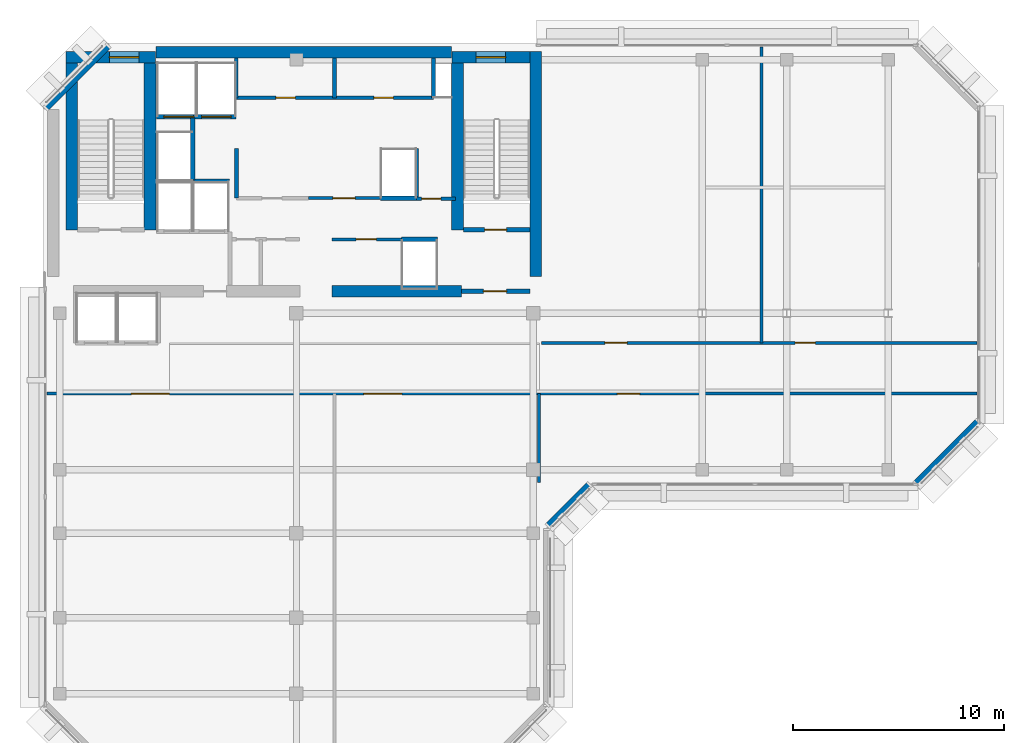
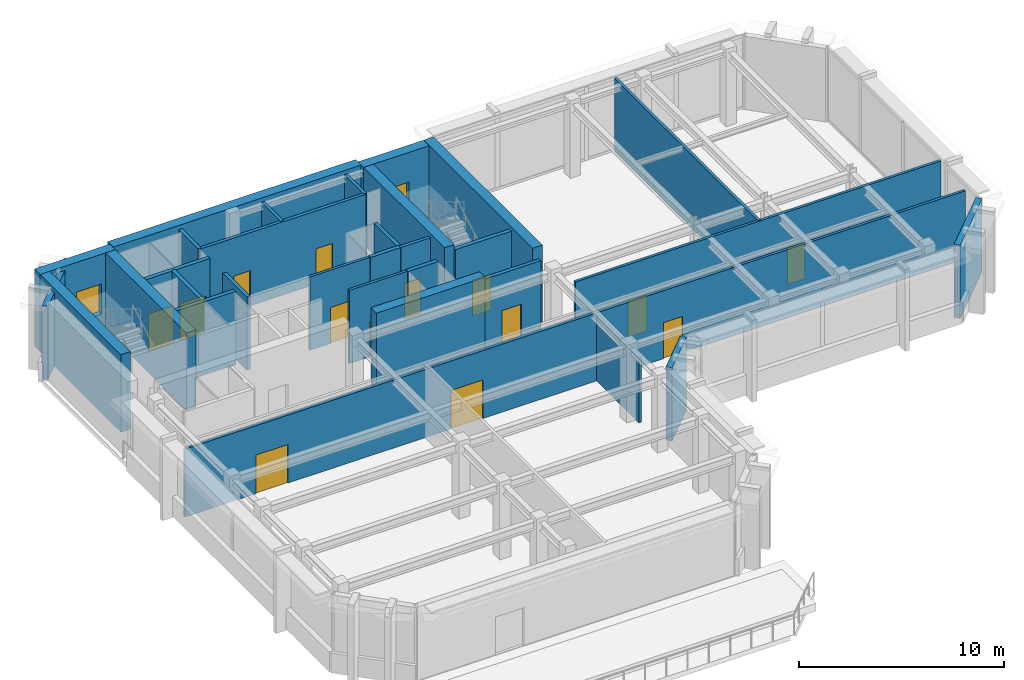
# One storey, part 5 of 11: 31 walls, 14 doors, 2 windows, 16 openings.
"""IFC4 building model written with IfcOpenShell, lengths in metres."""

import ifcopenshell
import ifcopenshell.guid

model = None  # the IFC model being written
_history = None  # IfcOwnerHistory: only IFC2X3 demands one
_inside = {}  # id of a spatial element -> (the spatial element, [elements in it])
_under = {}  # id of a project, library or spatial element -> (it, [spatial elements below it])
_declared = {}  # id of a project -> (the project, [libraries it declares])
_typed = {}  # id of a type object -> (the type object, [elements of that type])
_made_of = {}  # id of a material, layer set ... -> (it, [elements and type objects made of it])


def new_model(schema):
    """Start an empty IFC model of exactly this schema.

    Asked for "IFC4X3", IfcOpenShell would pick the latest addendum, in which some entities
    have other attributes; the version numbers below select the first issue.
    IFC2X3 requires an IfcOwnerHistory on every rooted entity: one is made here for all.
    """
    global model, _history
    if schema == "IFC4X3":
        model = ifcopenshell.file(schema_version=(4, 3, 0, 0))
    else:
        model = ifcopenshell.file(schema=schema)
    _inside.clear()
    _under.clear()
    _declared.clear()
    _typed.clear()
    _made_of.clear()
    _history = None
    if model.schema == "IFC2X3":
        org = make("IfcOrganization", Name="unknown")
        user = make(
            "IfcPersonAndOrganization",
            ThePerson=make("IfcPerson", FamilyName="unknown"),
            TheOrganization=org,
        )
        app = make(
            "IfcApplication",
            ApplicationDeveloper=org,
            Version="unknown",
            ApplicationFullName="unknown",
            ApplicationIdentifier="unknown",
        )
        _history = make(
            "IfcOwnerHistory",
            OwningUser=user,
            OwningApplication=app,
            ChangeAction="ADDED",
            CreationDate=0,
        )
    return model


def make(cls, **values):
    """One entity of the class cls with the attributes given. An attribute that is None is left unset."""
    return model.create_entity(
        cls, **{name: value for name, value in values.items() if value is not None}
    )


def rooted(cls, **values):
    """An entity with a GlobalId (a new one), such as an element, a storey or a relation."""
    return make(cls, GlobalId=ifcopenshell.guid.new(), OwnerHistory=_history, **values)


def si_unit(unit_type, name, prefix=None):
    """IfcSIUnit, for example si_unit("LENGTHUNIT", "METRE", prefix="MILLI")."""
    return make("IfcSIUnit", UnitType=unit_type, Prefix=prefix, Name=name)


def assignment(units):
    """IfcUnitAssignment: the units of a project."""
    return None if units is None else make("IfcUnitAssignment", Units=units)


def point(xyz):
    """IfcCartesianPoint."""
    return None if xyz is None else make("IfcCartesianPoint", Coordinates=xyz)


def direction(xyz):
    """IfcDirection."""
    return None if xyz is None else make("IfcDirection", DirectionRatios=xyz)


def frame(location, z_axis=None, x_axis=None):
    """IfcAxis2Placement3D, a coordinate frame: its origin and axes. An axis left out is left unset."""
    return make(
        "IfcAxis2Placement3D",
        Location=point(location),
        Axis=direction(z_axis),
        RefDirection=direction(x_axis),
    )


def frame_2d(location, x_axis=None):
    """IfcAxis2Placement2D, a coordinate frame in the plane: its origin and x axis."""
    return make(
        "IfcAxis2Placement2D", Location=point(location), RefDirection=direction(x_axis)
    )


def origin():
    """The frame at (0, 0, 0) with its axes left unset."""
    return frame((0.0, 0.0, 0.0))


def place(relative_to, where):
    """IfcLocalPlacement: puts the frame where relative to a parent placement (None: the world)."""
    return make(
        "IfcLocalPlacement", PlacementRelTo=relative_to, RelativePlacement=where
    )


def context(
    kind, dimensions, precision=None, world=None, true_north=None, identifier=None
):
    """IfcGeometricRepresentationContext, for example the 3D "Model" context."""
    return make(
        "IfcGeometricRepresentationContext",
        ContextIdentifier=identifier,
        ContextType=kind,
        CoordinateSpaceDimension=dimensions,
        Precision=precision,
        WorldCoordinateSystem=world,
        TrueNorth=true_north,
    )


def subcontext(parent, identifier, kind, view, scale=None):
    """IfcGeometricRepresentationSubContext, for example "Body" below "Model"."""
    return make(
        "IfcGeometricRepresentationSubContext",
        ContextIdentifier=identifier,
        ContextType=kind,
        ParentContext=parent,
        TargetScale=scale,
        TargetView=view,
    )


def project(units=None, contexts=None):
    """IfcProject with its units and contexts."""
    return rooted(
        "IfcProject",
        Name="project",
        RepresentationContexts=contexts,
        UnitsInContext=assignment(units),
    )


def spatial(cls, under=None, at=None, **own):
    """A site, building, storey or space (cls), placed at a placement, below another one or the project."""
    s = rooted(cls, ObjectPlacement=at, **own)
    if under is not None:
        _under.setdefault(under.id(), (under, []))[1].append(s)
    return s


def profile(cls, at=None, kind="AREA", **sizes):
    """A parametric profile (cls). Its sizes go by their IFC names, for example OverallWidth=200.0."""
    return make(cls, ProfileType=kind, Position=at, **sizes)


def rectangle(**sizes):
    """IfcRectangleProfileDef."""
    return profile("IfcRectangleProfileDef", **sizes)


def extrude(swept, where, along, depth):
    """IfcExtrudedAreaSolid: the profile swept, set in the frame where, extruded along a direction by depth."""
    return make(
        "IfcExtrudedAreaSolid",
        SweptArea=swept,
        Position=where,
        ExtrudedDirection=direction(along),
        Depth=depth,
    )


def shape(context_of_items, identifier, shape_type, items):
    """IfcShapeRepresentation: the items that make up one representation, for example the "Body"."""
    return make(
        "IfcShapeRepresentation",
        ContextOfItems=context_of_items,
        RepresentationIdentifier=identifier,
        RepresentationType=shape_type,
        Items=items,
    )


def material(Name=None, Category=None):
    """IfcMaterial."""
    return make("IfcMaterial", Name=Name, Category=Category)


def layer(
    of_material, thickness, ventilated=None, Name=None, Category=None, Priority=None
):
    """IfcMaterialLayer: one layer of a wall or slab, of a material (None: an air gap)."""
    return make(
        "IfcMaterialLayer",
        Material=of_material,
        LayerThickness=thickness,
        IsVentilated=ventilated,
        Name=Name,
        Category=Category,
        Priority=Priority,
    )


def layer_set(layers, Name=None):
    """IfcMaterialLayerSet."""
    return make("IfcMaterialLayerSet", MaterialLayers=layers, LayerSetName=Name)


def made_of(thing, what):
    """Note that an element or type object is made of a material, layer set ...; save() writes the relation."""
    if what is not None:
        _made_of.setdefault(what.id(), (what, []))[1].append(thing)
    return thing


def type_object(cls, material=None, **own):
    """A type object (cls), such as IfcWallType, which elements share."""
    return made_of(rooted(cls, **own), material)


def element(
    cls,
    number,
    at=None,
    inside=None,
    cuts=None,
    type_object=None,
    material=None,
    context=None,
    identifier="Body",
    shape_type=None,
    held_by="IfcProductDefinitionShape",
    body=None,
    shapes=None,
    **own,
):
    """One element of the class cls, such as IfcWall. Its Tag is "e" and its number.

    at: its placement. inside: the storey or other place that contains it. cuts: it is an
    opening in that element (IfcRelVoidsElement). A single representation is given by context,
    identifier, shape_type and body (its items); several are given by shapes. held_by: the class
    of the entity that holds the representations. save() writes the other relations.
    """
    e = rooted(cls, Tag="e%d" % number, ObjectPlacement=at, **own)
    if body is not None:
        shapes = [shape(context, identifier, shape_type, body)]
    if shapes is not None:
        e.Representation = make(held_by, Representations=shapes)
    if inside is not None:
        _inside.setdefault(inside.id(), (inside, []))[1].append(e)
    if cuts is not None:
        rooted(
            "IfcRelVoidsElement", RelatingBuildingElement=cuts, RelatedOpeningElement=e
        )
    if type_object is not None:
        _typed.setdefault(type_object.id(), (type_object, []))[1].append(e)
    return made_of(e, material)


def fill(opening, filler):
    """IfcRelFillsElement: the door or window that sits in an opening."""
    return rooted(
        "IfcRelFillsElement",
        RelatingOpeningElement=opening,
        RelatedBuildingElement=filler,
    )


def aggregate(whole, parts):
    """IfcRelAggregates: a whole, such as a stair, and the parts it consists of."""
    return rooted("IfcRelAggregates", RelatingObject=whole, RelatedObjects=parts)


def save(model, path):
    """Write the relations noted so far, then the file.

    IfcRelAggregates (storeys below a building ...), IfcRelContainedInSpatialStructure (elements
    in a storey), IfcRelDefinesByType, IfcRelAssociatesMaterial and IfcRelDeclares: one each for
    every whole, place, type object, material and project.
    """
    for whole, parts in _under.values():
        aggregate(whole, parts)
    for where, things in _inside.values():
        rooted(
            "IfcRelContainedInSpatialStructure",
            RelatedElements=things,
            RelatingStructure=where,
        )
    for kind, things in _typed.values():
        rooted("IfcRelDefinesByType", RelatedObjects=things, RelatingType=kind)
    for what, things in _made_of.values():
        rooted("IfcRelAssociatesMaterial", RelatedObjects=things, RelatingMaterial=what)
    for by, libraries in _declared.values():
        rooted("IfcRelDeclares", RelatingContext=by, RelatedDefinitions=libraries)
    model.write(path)


model = new_model("IFC4")

# Units and contexts
model_context = context("Model", 3, precision=1e-05, world=origin(), true_north=direction((0.0, 1.0)))
body_context = subcontext(model_context, "Body", "Model", "MODEL_VIEW")
ifc_project = project(units=[si_unit("LENGTHUNIT", "METRE"), si_unit("AREAUNIT", "SQUARE_METRE"), si_unit("VOLUMEUNIT", "CUBIC_METRE"), si_unit("PLANEANGLEUNIT", "RADIAN"), si_unit("MASSUNIT", "GRAM", prefix="KILO")], contexts=[model_context])

# Site, building, storey
site_placement = place(None, origin())
site = spatial("IfcSite", under=ifc_project, at=site_placement, CompositionType="ELEMENT")
building_placement = place(site_placement, origin())
building = spatial("IfcBuilding", under=site, at=building_placement, Name="Kefirva Bronze Tower", CompositionType="ELEMENT")
storey_placement = place(building_placement, frame((0.0, 0.0, 347.489990234375)))
storey = spatial("IfcBuildingStorey", under=building, at=storey_placement, Name="L85", CompositionType="ELEMENT", Elevation=347.489990234375)

# Wall, opening, door
ifc_material_1 = material(Name="Gypsum acoustic partition")
ifc_layer_1 = layer(ifc_material_1, 0.14990234375, Name="Gypsum acoustic partition")
ifc_layer_set_1 = layer_set([ifc_layer_1], Name="Gypsum acoustic partition")
wall_type_1 = type_object("IfcWallType", Name="Executive Suite Partition 150mm", PredefinedType="PARTITIONING", material=ifc_layer_set_1)
wall_1_placement = place(storey_placement, frame((13.679931640625, 36.699951171875, 0.0), z_axis=(0.0, 0.0, 1.0), x_axis=(1.0, 0.0, 0.0)))
wall_1 = element("IfcWall", 1, at=wall_1_placement, inside=storey, type_object=wall_type_1, Name="L85 Partition W-L85-RECMP1", PredefinedType="PARTITIONING", context=body_context, shape_type="SweptSolid", body=[
    extrude(rectangle(XDim=3.280029296875, YDim=0.14990234375, at=frame_2d((1.64013671875, 0.0))), origin(), (0.0, 0.0, 1.0), 4.3701171875),
])
opening_1_placement = place(wall_1_placement, frame((1.14990234375, 0.0, 0.0)))
opening_1 = element("IfcOpeningElement", 2, at=opening_1_placement, cuts=wall_1, Name="Opening L85-D-RECMP1", PredefinedType="OPENING", context=body_context, shape_type="SweptSolid", body=[
    extrude(rectangle(XDim=0.949951171875, YDim=2.14990234375, at=frame_2d((0.47509765625, 1.074951171875))), frame((0.0, 0.0849609375, 0.0), z_axis=(0.0, -1.0, 0.0), x_axis=(1.0, 0.0, 0.0)), (0.0, 0.0, 1.0), 0.169921875),
])
ifc_material_2 = material(Name="Acoustic hardwood oak", Category="wood")
door_type_1 = type_object("IfcDoorType", Name="Office & Meeting Room Door 950x2150", OperationType="NOTDEFINED", PredefinedType="DOOR", material=ifc_material_2)
door_1_placement = place(opening_1_placement, origin())
door_1 = element("IfcDoor", 3, at=door_1_placement, inside=storey, type_object=door_type_1, Name="Door L85-D-RECMP1", OperationType="SINGLE_SWING_LEFT", OverallHeight=2.14990234375, OverallWidth=0.949951171875, PredefinedType="DOOR", context=body_context, shape_type="SweptSolid", body=[
    extrude(rectangle(XDim=0.949951171875, YDim=2.14990234375, at=frame_2d((0.47509765625, 1.074951171875))), frame((0.0, 0.02490234375, 0.0), z_axis=(0.0, -1.0, 0.0), x_axis=(1.0, 0.0, 0.0)), (0.0, 0.0, 1.0), 0.050048828125),
])
fill(opening_1, door_1)

wall_2_placement = place(storey_placement, frame((12.580078125, 38.64990234375, 0.0), z_axis=(0.0, 0.0, 1.0), x_axis=(1.0, 0.0, 0.0)))
wall_2 = element("IfcWall", 4, at=wall_2_placement, inside=storey, type_object=wall_type_1, Name="L85 Partition W-L85-RECMP2", PredefinedType="PARTITIONING", context=body_context, shape_type="SweptSolid", body=[
    extrude(rectangle(XDim=3.3798828125, YDim=0.14990234375, at=frame_2d((1.68994140625, 0.0))), origin(), (0.0, 0.0, 1.0), 4.3701171875),
])
opening_2_placement = place(wall_2_placement, frame((2.199951171875, 0.0, 0.0), z_axis=(0.0, 0.0, 1.0), x_axis=(-1.0, 0.0, 0.0)))
opening_2 = element("IfcOpeningElement", 5, at=opening_2_placement, cuts=wall_2, Name="Opening L85-D-RECMP2", PredefinedType="OPENING", context=body_context, shape_type="SweptSolid", body=[
    extrude(rectangle(XDim=1.050048828125, YDim=2.14990234375, at=frame_2d((0.52490234375, 1.074951171875))), frame((0.0, 0.0849609375, 0.0), z_axis=(0.0, -1.0, 0.0), x_axis=(1.0, 0.0, 0.0)), (0.0, 0.0, 1.0), 0.169921875),
])
door_type_2 = type_object("IfcDoorType", Name="Executive & Boardroom Door 1050x2150", OperationType="NOTDEFINED", PredefinedType="DOOR", material=ifc_material_2)
door_2_placement = place(opening_2_placement, origin())
door_2 = element("IfcDoor", 6, at=door_2_placement, inside=storey, type_object=door_type_2, Name="Door L85-D-RECMP2", OperationType="SINGLE_SWING_RIGHT", OverallHeight=2.14990234375, OverallWidth=1.050048828125, PredefinedType="DOOR", context=body_context, shape_type="SweptSolid", body=[
    extrude(rectangle(XDim=1.050048828125, YDim=2.14990234375, at=frame_2d((0.52490234375, 1.074951171875))), frame((0.0, 0.02490234375, 0.0), z_axis=(0.0, -1.0, 0.0), x_axis=(1.0, 0.0, 0.0)), (0.0, 0.0, 1.0), 0.050048828125),
])
fill(opening_2, door_2)

# Wall, openings, doors
wall_3_placement = place(storey_placement, frame((0.18994140625, 29.39990234375, 0.0), z_axis=(0.0, 0.0, 1.0), x_axis=(1.0, 0.0, 0.0)))
wall_3 = element("IfcWall", 7, at=wall_3_placement, inside=storey, type_object=wall_type_1, Name="L85 Partition W-L85-LKS", PredefinedType="PARTITIONING", context=body_context, shape_type="SweptSolid", body=[
    extrude(rectangle(XDim=44.02001953125, YDim=0.14990234375, at=frame_2d((22.010009765625, 0.0))), origin(), (0.0, 0.0, 1.0), 4.054931640625),
])
opening_3_placement = place(wall_3_placement, frame((4.0, 0.0, 0.0)))
opening_3 = element("IfcOpeningElement", 8, at=opening_3_placement, cuts=wall_3, Name="Opening L85-D-LK1", PredefinedType="OPENING", context=body_context, shape_type="SweptSolid", body=[
    extrude(rectangle(XDim=1.800048828125, YDim=2.300048828125, at=frame_2d((0.89990234375, 1.14990234375))), frame((0.0, 0.0849609375, 0.0), z_axis=(0.0, -1.0, 0.0), x_axis=(1.0, 0.0, 0.0)), (0.0, 0.0, 1.0), 0.169921875),
])
opening_4_placement = place(wall_3_placement, frame((15.0, 0.0, 0.0)))
opening_4 = element("IfcOpeningElement", 9, at=opening_4_placement, cuts=wall_3, Name="Opening L85-D-LK2", PredefinedType="OPENING", context=body_context, shape_type="SweptSolid", body=[
    extrude(rectangle(XDim=1.800048828125, YDim=2.300048828125, at=frame_2d((0.89990234375, 1.14990234375))), frame((0.0, 0.0849609375, 0.0), z_axis=(0.0, -1.0, 0.0), x_axis=(1.0, 0.0, 0.0)), (0.0, 0.0, 1.0), 0.169921875),
])
opening_5_placement = place(wall_3_placement, frame((27.0, 0.0, 0.0)))
opening_5 = element("IfcOpeningElement", 10, at=opening_5_placement, cuts=wall_3, Name="Opening L85-D-LK3", PredefinedType="OPENING", context=body_context, shape_type="SweptSolid", body=[
    extrude(rectangle(XDim=1.050048828125, YDim=2.14990234375, at=frame_2d((0.52490234375, 1.074951171875))), frame((0.0, 0.0849609375, 0.0), z_axis=(0.0, -1.0, 0.0), x_axis=(1.0, 0.0, 0.0)), (0.0, 0.0, 1.0), 0.169921875),
])
door_type_3 = type_object("IfcDoorType", Name="Auditorium & Dining Double Door 1800x2300", OperationType="DOUBLE_DOOR_SINGLE_SWING", PredefinedType="DOOR", material=ifc_material_2)
door_3_placement = place(opening_3_placement, origin())
door_3 = element("IfcDoor", 11, at=door_3_placement, inside=storey, type_object=door_type_3, Name="Door L85-D-LK1", OperationType="SINGLE_SWING_LEFT", OverallHeight=2.300048828125, OverallWidth=1.800048828125, PredefinedType="DOOR", context=body_context, shape_type="SweptSolid", body=[
    extrude(rectangle(XDim=1.800048828125, YDim=2.300048828125, at=frame_2d((0.89990234375, 1.14990234375))), frame((0.0, 0.02490234375, 0.0), z_axis=(0.0, -1.0, 0.0), x_axis=(1.0, 0.0, 0.0)), (0.0, 0.0, 1.0), 0.050048828125),
])
fill(opening_3, door_3)
door_4_placement = place(opening_4_placement, origin())
door_4 = element("IfcDoor", 12, at=door_4_placement, inside=storey, type_object=door_type_3, Name="Door L85-D-LK2", OperationType="SINGLE_SWING_RIGHT", OverallHeight=2.300048828125, OverallWidth=1.800048828125, PredefinedType="DOOR", context=body_context, shape_type="SweptSolid", body=[
    extrude(rectangle(XDim=1.800048828125, YDim=2.300048828125, at=frame_2d((0.89990234375, 1.14990234375))), frame((0.0, 0.02490234375, 0.0), z_axis=(0.0, -1.0, 0.0), x_axis=(1.0, 0.0, 0.0)), (0.0, 0.0, 1.0), 0.050048828125),
])
fill(opening_4, door_4)
door_5_placement = place(opening_5_placement, origin())
door_5 = element("IfcDoor", 13, at=door_5_placement, inside=storey, type_object=door_type_2, Name="Door L85-D-LK3", OperationType="SINGLE_SWING_LEFT", OverallHeight=2.14990234375, OverallWidth=1.050048828125, PredefinedType="DOOR", context=body_context, shape_type="SweptSolid", body=[
    extrude(rectangle(XDim=1.050048828125, YDim=2.14990234375, at=frame_2d((0.52490234375, 1.074951171875))), frame((0.0, 0.02490234375, 0.0), z_axis=(0.0, -1.0, 0.0), x_axis=(1.0, 0.0, 0.0)), (0.0, 0.0, 1.0), 0.050048828125),
])
fill(opening_5, door_5)

wall_4_placement = place(storey_placement, frame((23.60009765625, 31.800048828125, 0.0), z_axis=(0.0, 0.0, 1.0), x_axis=(1.0, 0.0, 0.0)))
wall_4 = element("IfcWall", 14, at=wall_4_placement, inside=storey, type_object=wall_type_1, Name="L85 Partition W-L85-LKN", PredefinedType="PARTITIONING", context=body_context, shape_type="SweptSolid", body=[
    extrude(rectangle(XDim=20.60986328125, YDim=0.14990234375, at=frame_2d((10.304931640625, 0.0))), origin(), (0.0, 0.0, 1.0), 4.3701171875),
])
opening_6_placement = place(wall_4_placement, frame((3.0, 0.0, 0.0)))
opening_6 = element("IfcOpeningElement", 15, at=opening_6_placement, cuts=wall_4, Name="Opening L85-D-LKN1", PredefinedType="OPENING", context=body_context, shape_type="SweptSolid", body=[
    extrude(rectangle(XDim=1.050048828125, YDim=2.14990234375, at=frame_2d((0.52490234375, 1.074951171875))), frame((0.0, 0.0849609375, 0.0), z_axis=(0.0, -1.0, 0.0), x_axis=(1.0, 0.0, 0.0)), (0.0, 0.0, 1.0), 0.169921875),
])
opening_7_placement = place(wall_4_placement, frame((12.0, 0.0, 0.0)))
opening_7 = element("IfcOpeningElement", 16, at=opening_7_placement, cuts=wall_4, Name="Opening L85-D-LKN2", PredefinedType="OPENING", context=body_context, shape_type="SweptSolid", body=[
    extrude(rectangle(XDim=0.949951171875, YDim=2.14990234375, at=frame_2d((0.47509765625, 1.074951171875))), frame((0.0, 0.0849609375, 0.0), z_axis=(0.0, -1.0, 0.0), x_axis=(1.0, 0.0, 0.0)), (0.0, 0.0, 1.0), 0.169921875),
])
door_6_placement = place(opening_6_placement, origin())
door_6 = element("IfcDoor", 17, at=door_6_placement, inside=storey, type_object=door_type_2, Name="Door L85-D-LKN1", OperationType="SINGLE_SWING_RIGHT", OverallHeight=2.14990234375, OverallWidth=1.050048828125, PredefinedType="DOOR", context=body_context, shape_type="SweptSolid", body=[
    extrude(rectangle(XDim=1.050048828125, YDim=2.14990234375, at=frame_2d((0.52490234375, 1.074951171875))), frame((0.0, 0.02490234375, 0.0), z_axis=(0.0, -1.0, 0.0), x_axis=(1.0, 0.0, 0.0)), (0.0, 0.0, 1.0), 0.050048828125),
])
fill(opening_6, door_6)
door_7_placement = place(opening_7_placement, origin())
door_7 = element("IfcDoor", 18, at=door_7_placement, inside=storey, type_object=door_type_1, Name="Door L85-D-LKN2", OperationType="SINGLE_SWING_LEFT", OverallHeight=2.14990234375, OverallWidth=0.949951171875, PredefinedType="DOOR", context=body_context, shape_type="SweptSolid", body=[
    extrude(rectangle(XDim=0.949951171875, YDim=2.14990234375, at=frame_2d((0.47509765625, 1.074951171875))), frame((0.0, 0.02490234375, 0.0), z_axis=(0.0, -1.0, 0.0), x_axis=(1.0, 0.0, 0.0)), (0.0, 0.0, 1.0), 0.050048828125),
])
fill(opening_7, door_7)

# Walls
wall_5_placement = place(storey_placement, frame((23.47998046875, 25.18994140625, 0.0), z_axis=(0.0, 0.0, 1.0), x_axis=(0.0, 1.0, 0.0)))
element("IfcWall", 19, at=wall_5_placement, inside=storey, type_object=wall_type_1, Name="L85 Partition W-L85-LKD2", PredefinedType="PARTITIONING", context=body_context, shape_type="SweptSolid", body=[
    extrude(rectangle(XDim=4.2099609375, YDim=0.14990234375, at=frame_2d((2.10498046875, 0.0))), origin(), (0.0, 0.0, 1.0), 3.85498046875),
])
wall_6_placement = place(storey_placement, frame((34.0, 31.800048828125, 0.0), z_axis=(0.0, 0.0, 1.0), x_axis=(0.0, 1.0, 0.0)))
element("IfcWall", 20, at=wall_6_placement, inside=storey, type_object=wall_type_1, Name="L85 Partition W-L85-LKND", PredefinedType="PARTITIONING", context=body_context, shape_type="SweptSolid", body=[
    extrude(rectangle(XDim=14.010009765625, YDim=0.14990234375, at=frame_2d((7.0048828125, 0.0))), origin(), (0.0, 0.0, 1.0), 4.3701171875),
])

# Wall, opening, door
ifc_material_3 = material(Name="Gypsum fireboard shaftwall")
ifc_layer_2 = layer(ifc_material_3, 0.219970703125, Name="Gypsum fireboard shaftwall")
ifc_layer_set_2 = layer_set([ifc_layer_2], Name="Gypsum fireboard shaftwall")
wall_type_2 = type_object("IfcWallType", Name="Fire-Rated Shaft Enclosure Wall 220mm", PredefinedType="PARTITIONING", material=ifc_layer_set_2)
wall_7_placement = place(storey_placement, frame((19.89990234375, 37.14990234375, 0.0), z_axis=(0.0, 0.0, 1.0), x_axis=(1.0, 0.0, 0.0)))
wall_7 = element("IfcWall", 21, at=wall_7_placement, inside=storey, type_object=wall_type_2, Name="L85 Partition W-L85-ST2S", PredefinedType="PARTITIONING", context=body_context, shape_type="SweptSolid", body=[
    extrude(rectangle(XDim=3.150146484375, YDim=0.219970703125, at=frame_2d((1.5751953125, 0.0))), origin(), (0.0, 0.0, 1.0), 4.3701171875),
])
opening_8_placement = place(wall_7_placement, frame((2.050048828125, 0.0, 0.0), z_axis=(0.0, 0.0, 1.0), x_axis=(-1.0, 0.0, 0.0)))
opening_8 = element("IfcOpeningElement", 22, at=opening_8_placement, cuts=wall_7, Name="Opening L85-D003", PredefinedType="OPENING", context=body_context, shape_type="SweptSolid", body=[
    extrude(rectangle(XDim=1.050048828125, YDim=2.14990234375, at=frame_2d((0.52490234375, 1.074951171875))), frame((0.0, 0.1201171875, 0.0), z_axis=(0.0, -1.0, 0.0), x_axis=(1.0, 0.0, 0.0)), (0.0, 0.0, 1.0), 0.239990234375),
])
ifc_material_4 = material(Name="Painted galvanized steel", Category="steel")
door_type_4 = type_object("IfcDoorType", Name="Fire Stair Enclosure Door 1050x2150 FD90S", OperationType="NOTDEFINED", PredefinedType="DOOR", material=ifc_material_4)
door_8_placement = place(opening_8_placement, origin())
door_8 = element("IfcDoor", 23, at=door_8_placement, inside=storey, type_object=door_type_4, Name="Door L85-D003", OperationType="SINGLE_SWING_LEFT", OverallHeight=2.14990234375, OverallWidth=1.050048828125, PredefinedType="DOOR", context=body_context, shape_type="SweptSolid", body=[
    extrude(rectangle(XDim=1.050048828125, YDim=2.14990234375, at=frame_2d((0.52490234375, 1.074951171875))), frame((0.0, 0.02490234375, 0.0), z_axis=(0.0, -1.0, 0.0), x_axis=(1.0, 0.0, 0.0)), (0.0, 0.0, 1.0), 0.050048828125),
])
fill(opening_8, door_8)

# Wall
wall_8_placement = place(storey_placement, frame((5.3798828125, 39.449951171875, 0.0), z_axis=(0.0, 0.0, 1.0), x_axis=(1.0, 0.0, 0.0)))
element("IfcWall", 24, at=wall_8_placement, inside=storey, type_object=wall_type_2, Name="L85 Partition W-L85-FFN", PredefinedType="PARTITIONING", context=body_context, shape_type="SweptSolid", body=[
    extrude(rectangle(XDim=3.460205078125, YDim=0.219970703125, at=frame_2d((1.72998046875, 0.0))), origin(), (0.0, 0.0, 1.0), 4.3701171875),
])

# Wall, openings, doors
wall_9_placement = place(storey_placement, frame((5.3798828125, 42.5, 0.0), z_axis=(0.0, 0.0, 1.0), x_axis=(1.0, 0.0, 0.0)))
wall_9 = element("IfcWall", 25, at=wall_9_placement, inside=storey, type_object=wall_type_2, Name="L85 Partition W-L85-SVS", PredefinedType="PARTITIONING", context=body_context, shape_type="SweptSolid", body=[
    extrude(rectangle(XDim=3.77001953125, YDim=0.219970703125, at=frame_2d((1.885009765625, 0.0))), origin(), (0.0, 0.0, 1.0), 4.3701171875),
])
opening_9_placement = place(wall_9_placement, frame((1.75, 0.0, 0.0), z_axis=(0.0, 0.0, 1.0), x_axis=(-1.0, 0.0, 0.0)))
opening_9 = element("IfcOpeningElement", 26, at=opening_9_placement, cuts=wall_9, Name="Opening L85-LD-SV1", PredefinedType="OPENING", context=body_context, shape_type="SweptSolid", body=[
    extrude(rectangle(XDim=1.39990234375, YDim=2.199951171875, at=frame_2d((0.699951171875, 1.10009765625))), frame((0.0, 0.1201171875, 0.0), z_axis=(0.0, -1.0, 0.0), x_axis=(1.0, 0.0, 0.0)), (0.0, 0.0, 1.0), 0.239990234375),
])
opening_10_placement = place(wall_9_placement, frame((3.52978515625, 0.0, 0.0), z_axis=(0.0, 0.0, 1.0), x_axis=(-1.0, 0.0, 0.0)))
opening_10 = element("IfcOpeningElement", 27, at=opening_10_placement, cuts=wall_9, Name="Opening L85-LD-SV2", PredefinedType="OPENING", context=body_context, shape_type="SweptSolid", body=[
    extrude(rectangle(XDim=1.39990234375, YDim=2.199951171875, at=frame_2d((0.699951171875, 1.10009765625))), frame((0.0, 0.1201171875, 0.0), z_axis=(0.0, -1.0, 0.0), x_axis=(1.0, 0.0, 0.0)), (0.0, 0.0, 1.0), 0.239990234375),
])
ifc_material_5 = material(Name="Stainless steel 316", Category="steel")
door_type_5 = type_object("IfcDoorType", Name="Goods Lift Bi-Parting Sliding Door 1400x2200", OperationType="SLIDING_TO_LEFT", PredefinedType="DOOR", material=ifc_material_5)
door_9_placement = place(opening_9_placement, origin())
door_9 = element("IfcDoor", 28, at=door_9_placement, inside=storey, type_object=door_type_5, Name="Door L85-LD-SV1", OperationType="SLIDING_TO_LEFT", OverallHeight=2.199951171875, OverallWidth=1.39990234375, PredefinedType="DOOR", context=body_context, shape_type="SweptSolid", body=[
    extrude(rectangle(XDim=1.39990234375, YDim=2.199951171875, at=frame_2d((0.699951171875, 1.10009765625))), frame((0.0, 0.02490234375, 0.0), z_axis=(0.0, -1.0, 0.0), x_axis=(1.0, 0.0, 0.0)), (0.0, 0.0, 1.0), 0.050048828125),
])
fill(opening_9, door_9)
door_10_placement = place(opening_10_placement, origin())
door_10 = element("IfcDoor", 29, at=door_10_placement, inside=storey, type_object=door_type_5, Name="Door L85-LD-SV2", OperationType="SLIDING_TO_LEFT", OverallHeight=2.199951171875, OverallWidth=1.39990234375, PredefinedType="DOOR", context=body_context, shape_type="SweptSolid", body=[
    extrude(rectangle(XDim=1.39990234375, YDim=2.199951171875, at=frame_2d((0.699951171875, 1.10009765625))), frame((0.0, 0.02490234375, 0.0), z_axis=(0.0, -1.0, 0.0), x_axis=(1.0, 0.0, 0.0)), (0.0, 0.0, 1.0), 0.050048828125),
])
fill(opening_10, door_10)

# Walls
wall_10_placement = place(storey_placement, frame((7.10009765625, 39.52001953125, 0.0), z_axis=(0.0, 0.0, 1.0), x_axis=(0.0, 1.0, 0.0)))
element("IfcWall", 30, at=wall_10_placement, inside=storey, type_object=wall_type_2, Name="L85 Partition W-L85-HP3E", PredefinedType="PARTITIONING", context=body_context, shape_type="SweptSolid", body=[
    extrude(rectangle(XDim=2.929931640625, YDim=0.219970703125, at=frame_2d((1.46484375, 0.0))), origin(), (0.0, 0.0, 1.0), 4.3701171875),
])
for number, where, z_axis, x_axis, name in (
    (31, (9.159912109375, 38.64990234375, 0.0), (0.0, 0.0, 1.0), (0.0, 1.0, 0.0), "L85 Partition W-L85-LP3W"),
    (32, (17.679931640625, 38.64990234375, 0.0), (0.0, 0.0, 1.0), (0.0, 1.0, 0.0), "L85 Partition W-L85-HP2E"),
):
    element("IfcWall", number, at=place(storey_placement, frame(where, z_axis=z_axis, x_axis=x_axis)), inside=storey, type_object=wall_type_2, Name=name, PredefinedType="PARTITIONING", context=body_context, shape_type="SweptSolid", body=[
        extrude(rectangle(XDim=2.35009765625, YDim=0.199951171875, at=frame_2d((1.175048828125, 0.0))), origin(), (0.0, 0.0, 1.0), 4.3701171875),
    ])
wall_11_placement = place(storey_placement, frame((16.97998046875, 36.699951171875, 0.0), z_axis=(0.0, 0.0, 1.0), x_axis=(1.0, 0.0, 0.0)))
element("IfcWall", 33, at=wall_11_placement, inside=storey, type_object=wall_type_2, Name="L85 Partition W-L85-HPS", PredefinedType="PARTITIONING", context=body_context, shape_type="SweptSolid", body=[
    extrude(rectangle(XDim=1.699951171875, YDim=0.219970703125, at=frame_2d((0.85009765625, 0.0))), origin(), (0.0, 0.0, 1.0), 4.3701171875),
])
wall_12_placement = place(storey_placement, frame((15.97998046875, 38.64990234375, 0.0), z_axis=(0.0, 0.0, 1.0), x_axis=(1.0, 0.0, 0.0)))
element("IfcWall", 34, at=wall_12_placement, inside=storey, type_object=wall_type_2, Name="L85 Partition W-L85-HPN", PredefinedType="PARTITIONING", context=body_context, shape_type="SweptSolid", body=[
    extrude(rectangle(XDim=1.719970703125, YDim=0.219970703125, at=frame_2d((0.85986328125, 0.0))), origin(), (0.0, 0.0, 1.0), 4.3701171875),
])

# Wall, opening, door
ifc_material_6 = material(Name="Gypsum fireboard barrier")
ifc_layer_3 = layer(ifc_material_6, 0.199951171875, Name="Gypsum fireboard barrier")
ifc_layer_set_3 = layer_set([ifc_layer_3], Name="Gypsum fireboard barrier")
wall_type_3 = type_object("IfcWallType", Name="Firefighting Lobby Barrier Wall 200mm", PredefinedType="PARTITIONING", material=ifc_layer_set_3)
wall_13_placement = place(storey_placement, frame((19.800048828125, 34.25, 0.0), z_axis=(0.0, 0.0, 1.0), x_axis=(1.0, 0.0, 0.0)))
wall_13 = element("IfcWall", 35, at=wall_13_placement, inside=storey, type_object=wall_type_3, Name="L85 Partition W-L85-ST2F", PredefinedType="PARTITIONING", context=body_context, shape_type="SweptSolid", body=[
    extrude(rectangle(XDim=3.25, YDim=0.199951171875, at=frame_2d((1.625, 0.0))), origin(), (0.0, 0.0, 1.0), 4.3701171875),
])
opening_11_placement = place(wall_13_placement, frame((2.150146484375, 0.0, 0.0), z_axis=(0.0, 0.0, 1.0), x_axis=(-1.0, 0.0, 0.0)))
opening_11 = element("IfcOpeningElement", 36, at=opening_11_placement, cuts=wall_13, Name="Opening L85-D004", PredefinedType="OPENING", context=body_context, shape_type="SweptSolid", body=[
    extrude(rectangle(XDim=1.10009765625, YDim=2.14990234375, at=frame_2d((0.550048828125, 1.074951171875))), frame((0.0, 0.10986328125, 0.0), z_axis=(0.0, -1.0, 0.0), x_axis=(1.0, 0.0, 0.0)), (0.0, 0.0, 1.0), 0.219970703125),
])
door_type_6 = type_object("IfcDoorType", Name="Firefighting Lobby Smoke Door 1100x2150 FD60S", OperationType="NOTDEFINED", PredefinedType="DOOR", material=ifc_material_4)
door_11_placement = place(opening_11_placement, origin())
door_11 = element("IfcDoor", 37, at=door_11_placement, inside=storey, type_object=door_type_6, Name="Door L85-D004", OperationType="SINGLE_SWING_RIGHT", OverallHeight=2.14990234375, OverallWidth=1.10009765625, PredefinedType="DOOR", context=body_context, shape_type="SweptSolid", body=[
    extrude(rectangle(XDim=1.10009765625, YDim=2.14990234375, at=frame_2d((0.550048828125, 1.074951171875))), frame((0.0, 0.02490234375, 0.0), z_axis=(0.0, -1.0, 0.0), x_axis=(1.0, 0.0, 0.0)), (0.0, 0.0, 1.0), 0.050048828125),
])
fill(opening_11, door_11)

wall_14_placement = place(storey_placement, frame((17.679931640625, 38.6201171875, 0.0), z_axis=(0.0, 0.0, 1.0), x_axis=(1.0, 0.0, 0.0)))
wall_14 = element("IfcWall", 38, at=wall_14_placement, inside=storey, type_object=wall_type_3, Name="L85 Partition W-L85-CPASS", PredefinedType="PARTITIONING", context=body_context, shape_type="SweptSolid", body=[
    extrude(rectangle(XDim=1.840087890625, YDim=0.179931640625, at=frame_2d((0.919921875, 0.0))), origin(), (0.0, 0.0, 1.0), 4.3701171875),
])
opening_12_placement = place(wall_14_placement, frame((0.239990234375, 0.0, 0.0)))
opening_12 = element("IfcOpeningElement", 39, at=opening_12_placement, cuts=wall_14, Name="Opening L85-D-CPAS", PredefinedType="OPENING", context=body_context, shape_type="SweptSolid", body=[
    extrude(rectangle(XDim=0.919921875, YDim=2.10009765625, at=frame_2d((0.4599609375, 1.050048828125))), frame((0.0, 0.10009765625, 0.0), z_axis=(0.0, -1.0, 0.0), x_axis=(1.0, 0.0, 0.0)), (0.0, 0.0, 1.0), 0.199951171875),
])
ifc_material_7 = material(Name="Moisture-resistant timber", Category="wood")
door_type_7 = type_object("IfcDoorType", Name="Accessible Sanitary & WC Door 920x2100", OperationType="NOTDEFINED", PredefinedType="DOOR", material=ifc_material_7)
door_12_placement = place(opening_12_placement, origin())
door_12 = element("IfcDoor", 40, at=door_12_placement, inside=storey, type_object=door_type_7, Name="Door L85-D-CPAS", OperationType="SINGLE_SWING_LEFT", OverallHeight=2.10009765625, OverallWidth=0.919921875, PredefinedType="DOOR", context=body_context, shape_type="SweptSolid", body=[
    extrude(rectangle(XDim=0.919921875, YDim=2.10009765625, at=frame_2d((0.4599609375, 1.050048828125))), frame((0.0, 0.02490234375, 0.0), z_axis=(0.0, -1.0, 0.0), x_axis=(1.0, 0.0, 0.0)), (0.0, 0.0, 1.0), 0.050048828125),
])
fill(opening_12, door_12)

# Walls
ifc_material_8 = material(Name="Precast concrete C40/50", Category="concrete")
ifc_layer_4 = layer(ifc_material_8, 0.320068359375, Name="Precast concrete C40/50")
ifc_layer_set_4 = layer_set([ifc_layer_4], Name="Precast concrete C40/50")
wall_type_4 = type_object("IfcWallType", Name="Precast Insulated Exterior Wall 320mm", PredefinedType="SOLIDWALL", material=ifc_layer_set_4)
wall_15_placement = place(storey_placement, frame((23.92578125, 23.152099609375, 0.0), z_axis=(0.0, 0.0, 1.0), x_axis=(0.707106781187, 0.707106781187, 0.0)))
element("IfcWall", 41, at=wall_15_placement, inside=storey, type_object=wall_type_4, Name="L85 Exterior Facade Wall 4", PredefinedType="SOLIDWALL", context=body_context, shape_type="SweptSolid", body=[
    extrude(rectangle(XDim=2.71826171875, YDim=0.320068359375, at=frame_2d((1.359130859375, 0.0))), origin(), (0.0, 0.0, 1.0), 4.3701171875),
])
for number, where, z_axis, x_axis, name in (
    (42, (41.32568359375, 25.152099609375, 0.0), (0.0, 0.0, 1.0), (0.707136318428, 0.707077242712, 0.0), "L85 Exterior Facade Wall 5"),
    (43, (3.07421875, 45.847900390625, 0.0), (0.0, 0.0, 1.0), (-0.707106781187, -0.707106781187, 0.0), "L85 Exterior Facade Wall 7"),
):
    element("IfcWall", number, at=place(storey_placement, frame(where, z_axis=z_axis, x_axis=x_axis)), inside=storey, type_object=wall_type_4, Name=name, PredefinedType="SOLIDWALL", context=body_context, shape_type="SweptSolid", body=[
        extrude(rectangle(XDim=4.132568359375, YDim=0.320068359375, at=frame_2d((2.06640625, 0.0))), origin(), (0.0, 0.0, 1.0), 4.3701171875),
    ])
ifc_material_9 = material(Name="Concrete C50/60", Category="concrete")
ifc_layer_5 = layer(ifc_material_9, 0.550048828125, Name="Concrete C50/60")
ifc_layer_set_5 = layer_set([ifc_layer_5], Name="Concrete C50/60")
wall_type_5 = type_object("IfcWallType", Name="RC Rear Core Exterior Wall 550mm", PredefinedType="SHEAR", material=ifc_layer_set_5)
wall_16_placement = place(storey_placement, frame((5.360107421875, 45.550048828125, 0.0), z_axis=(0.0, 0.0, 1.0), x_axis=(1.0, 0.0, 0.0)))
element("IfcWall", 44, at=wall_16_placement, inside=storey, type_object=wall_type_5, Name="L85 Rear Core North Shear Wall", PredefinedType="SHEAR", context=body_context, shape_type="SweptSolid", body=[
    extrude(rectangle(XDim=13.97998046875, YDim=0.550048828125, at=frame_2d((6.989990234375, 0.0))), origin(), (0.0, 0.0, 1.0), 4.6201171875),
])

# Wall, opening, window
wall_17_placement = place(storey_placement, frame((1.10009765625, 45.320068359375, 0.0), z_axis=(0.0, 0.0, 1.0), x_axis=(1.0, 0.0, 0.0)))
wall_17 = element("IfcWall", 45, at=wall_17_placement, inside=storey, type_object=wall_type_5, Name="L85 Stair 1 North Shear Wall", PredefinedType="SHEAR", context=body_context, shape_type="SweptSolid", body=[
    extrude(rectangle(XDim=4.239990234375, YDim=0.550048828125, at=frame_2d((2.1201171875, 0.0))), origin(), (0.0, 0.0, 1.0), 4.6201171875),
])
opening_13_placement = place(wall_17_placement, frame((2.050048828125, 0.0, 1.050048828125)))
opening_13 = element("IfcOpeningElement", 46, at=opening_13_placement, cuts=wall_17, Name="Opening WN-03", PredefinedType="OPENING", context=body_context, shape_type="SweptSolid", body=[
    extrude(rectangle(XDim=1.39990234375, YDim=1.800048828125, at=frame_2d((0.699951171875, 0.89990234375))), frame((0.0, 0.28515625, 0.0), z_axis=(0.0, -1.0, 0.0), x_axis=(1.0, 0.0, 0.0)), (0.0, 0.0, 1.0), 0.570068359375),
])
ifc_material_10 = material(Name="Laminated low-E double glazing", Category="glass")
window_type = type_object("IfcWindowType", Name="Rear-Core Stair Daylight Window 1400x1800", PartitioningType="SINGLE_PANEL", PredefinedType="WINDOW", material=ifc_material_10)
window_1_placement = place(opening_13_placement, origin())
window_1 = element("IfcWindow", 47, at=window_1_placement, inside=storey, type_object=window_type, Name="L85 Stair 1 Daylight Window", OverallHeight=1.800048828125, OverallWidth=1.39990234375, PartitioningType="SINGLE_PANEL", PredefinedType="WINDOW", context=body_context, shape_type="SweptSolid", body=[
    extrude(rectangle(XDim=1.39990234375, YDim=1.800048828125, at=frame_2d((0.699951171875, 0.89990234375))), frame((0.0, 0.030029296875, 0.0), z_axis=(0.0, -1.0, 0.0), x_axis=(1.0, 0.0, 0.0)), (0.0, 0.0, 1.0), 0.06005859375),
])
fill(opening_13, window_1)

wall_18_placement = place(storey_placement, frame((19.35009765625, 45.320068359375, 0.0), z_axis=(0.0, 0.0, 1.0), x_axis=(1.0, 0.0, 0.0)))
wall_18 = element("IfcWall", 48, at=wall_18_placement, inside=storey, type_object=wall_type_5, Name="L85 Stair 2 North Shear Wall", PredefinedType="SHEAR", context=body_context, shape_type="SweptSolid", body=[
    extrude(rectangle(XDim=3.68994140625, YDim=0.550048828125, at=frame_2d((1.844970703125, 0.0))), origin(), (0.0, 0.0, 1.0), 4.6201171875),
])
opening_14_placement = place(wall_18_placement, frame((1.14990234375, 0.0, 1.050048828125)))
opening_14 = element("IfcOpeningElement", 49, at=opening_14_placement, cuts=wall_18, Name="Opening WN-03", PredefinedType="OPENING", context=body_context, shape_type="SweptSolid", body=[
    extrude(rectangle(XDim=1.39990234375, YDim=1.800048828125, at=frame_2d((0.699951171875, 0.89990234375))), frame((0.0, 0.28515625, 0.0), z_axis=(0.0, -1.0, 0.0), x_axis=(1.0, 0.0, 0.0)), (0.0, 0.0, 1.0), 0.570068359375),
])
window_2_placement = place(opening_14_placement, origin())
window_2 = element("IfcWindow", 50, at=window_2_placement, inside=storey, type_object=window_type, Name="L85 Stair 2 Daylight Window", OverallHeight=1.800048828125, OverallWidth=1.39990234375, PartitioningType="SINGLE_PANEL", PredefinedType="WINDOW", context=body_context, shape_type="SweptSolid", body=[
    extrude(rectangle(XDim=1.39990234375, YDim=1.800048828125, at=frame_2d((0.699951171875, 0.89990234375))), frame((0.0, 0.030029296875, 0.0), z_axis=(0.0, -1.0, 0.0), x_axis=(1.0, 0.0, 0.0)), (0.0, 0.0, 1.0), 0.06005859375),
])
fill(opening_14, window_2)

# Walls
ifc_layer_6 = layer(ifc_material_9, 0.550048828125, Name="Concrete C50/60")
ifc_layer_set_6 = layer_set([ifc_layer_6], Name="Concrete C50/60")
wall_type_6 = type_object("IfcWallType", Name="RC Rear Core Interior Wall 550mm", PredefinedType="SHEAR", material=ifc_layer_set_6)
wall_19_placement = place(storey_placement, frame((23.324951171875, 34.949951171875, 0.0), z_axis=(0.0, 0.0, 1.0), x_axis=(0.0, 1.0, 0.0)))
element("IfcWall", 51, at=wall_19_placement, inside=storey, type_object=wall_type_6, Name="L85 Rear Core East Shear Wall", PredefinedType="SHEAR", context=body_context, shape_type="SweptSolid", body=[
    extrude(rectangle(XDim=10.64013671875, YDim=0.550048828125, at=frame_2d((5.320068359375, 0.0))), origin(), (0.0, 0.0, 1.0), 4.6201171875),
])
wall_20_placement = place(storey_placement, frame((13.679931640625, 34.25, 0.0), z_axis=(0.0, 0.0, 1.0), x_axis=(1.0, 0.0, 0.0)))
element("IfcWall", 52, at=wall_20_placement, inside=storey, type_object=wall_type_6, Name="L85 Rear Core South-East Shear Wall", PredefinedType="SHEAR", context=body_context, shape_type="SweptSolid", body=[
    extrude(rectangle(XDim=6.1201171875, YDim=0.550048828125, at=frame_2d((3.06005859375, 0.0))), origin(), (0.0, 0.0, 1.0), 4.6201171875),
])
for number, where, z_axis, x_axis, name in (
    (53, (1.3701171875, 37.14990234375, 0.0), (0.0, 0.0, 1.0), (0.0, 1.0, 0.0), "L85 Stair 1 West Shear Wall"),
    (54, (5.070068359375, 37.14990234375, 0.0), (0.0, 0.0, 1.0), (0.0, 1.0, 0.0), "L85 Stair 1 East Shear Wall"),
    (55, (19.6201171875, 37.14990234375, 0.0), (0.0, 0.0, 1.0), (0.0, 1.0, 0.0), "L85 Stair 2 West Shear Wall"),
):
    element("IfcWall", number, at=place(storey_placement, frame(where, z_axis=z_axis, x_axis=x_axis)), inside=storey, type_object=wall_type_6, Name=name, PredefinedType="SHEAR", context=body_context, shape_type="SweptSolid", body=[
        extrude(rectangle(XDim=7.89013671875, YDim=0.550048828125, at=frame_2d((3.945068359375, 0.0))), origin(), (0.0, 0.0, 1.0), 4.6201171875),
    ])

# Wall, openings, doors
ifc_material_11 = material(Name="Moisture-resistant partition")
ifc_layer_7 = layer(ifc_material_11, 0.179931640625, Name="Moisture-resistant partition")
ifc_layer_set_7 = layer_set([ifc_layer_7], Name="Moisture-resistant partition")
wall_type_7 = type_object("IfcWallType", Name="Sanitary Plumbing Chase Wall 180mm", PredefinedType="PLUMBINGWALL", material=ifc_layer_set_7)
wall_21_placement = place(storey_placement, frame((9.14990234375, 43.39990234375, 0.0), z_axis=(0.0, 0.0, 1.0), x_axis=(1.0, 0.0, 0.0)))
wall_21 = element("IfcWall", 56, at=wall_21_placement, inside=storey, type_object=wall_type_7, Name="L85 Partition W-L85-SVCS", PredefinedType="PLUMBINGWALL", context=body_context, shape_type="SweptSolid", body=[
    extrude(rectangle(XDim=9.330078125, YDim=0.179931640625, at=frame_2d((4.6650390625, 0.0))), origin(), (0.0, 0.0, 1.0), 4.3701171875),
])
opening_15_placement = place(wall_21_placement, frame((1.8798828125, 0.0, 0.0)))
opening_15 = element("IfcOpeningElement", 57, at=opening_15_placement, cuts=wall_21, Name="Opening L85-D-CSVC1", PredefinedType="OPENING", context=body_context, shape_type="SweptSolid", body=[
    extrude(rectangle(XDim=0.919921875, YDim=2.10009765625, at=frame_2d((0.4599609375, 1.050048828125))), frame((0.0, 0.10009765625, 0.0), z_axis=(0.0, -1.0, 0.0), x_axis=(1.0, 0.0, 0.0)), (0.0, 0.0, 1.0), 0.199951171875),
])
opening_16_placement = place(wall_21_placement, frame((6.514892578125, 0.0, 0.0)))
opening_16 = element("IfcOpeningElement", 58, at=opening_16_placement, cuts=wall_21, Name="Opening L85-D-CSVC2", PredefinedType="OPENING", context=body_context, shape_type="SweptSolid", body=[
    extrude(rectangle(XDim=0.919921875, YDim=2.10009765625, at=frame_2d((0.4599609375, 1.050048828125))), frame((0.0, 0.10009765625, 0.0), z_axis=(0.0, -1.0, 0.0), x_axis=(1.0, 0.0, 0.0)), (0.0, 0.0, 1.0), 0.199951171875),
])
door_13_placement = place(opening_15_placement, origin())
door_13 = element("IfcDoor", 59, at=door_13_placement, inside=storey, type_object=door_type_7, Name="Door L85-D-CSVC1", OperationType="SINGLE_SWING_LEFT", OverallHeight=2.10009765625, OverallWidth=0.919921875, PredefinedType="DOOR", context=body_context, shape_type="SweptSolid", body=[
    extrude(rectangle(XDim=0.919921875, YDim=2.10009765625, at=frame_2d((0.4599609375, 1.050048828125))), frame((0.0, 0.02490234375, 0.0), z_axis=(0.0, -1.0, 0.0), x_axis=(1.0, 0.0, 0.0)), (0.0, 0.0, 1.0), 0.050048828125),
])
fill(opening_15, door_13)
door_14_placement = place(opening_16_placement, origin())
door_14 = element("IfcDoor", 60, at=door_14_placement, inside=storey, type_object=door_type_7, Name="Door L85-D-CSVC2", OperationType="SINGLE_SWING_RIGHT", OverallHeight=2.10009765625, OverallWidth=0.919921875, PredefinedType="DOOR", context=body_context, shape_type="SweptSolid", body=[
    extrude(rectangle(XDim=0.919921875, YDim=2.10009765625, at=frame_2d((0.4599609375, 1.050048828125))), frame((0.0, 0.02490234375, 0.0), z_axis=(0.0, -1.0, 0.0), x_axis=(1.0, 0.0, 0.0)), (0.0, 0.0, 1.0), 0.050048828125),
])
fill(opening_16, door_14)

# Walls
for number, where, z_axis, x_axis, name in (
    (61, (9.14990234375, 43.39990234375, 0.0), (0.0, 0.0, 1.0), (0.0, 1.0, 0.0), "L85 Partition W-L85-SVCW"),
    (62, (18.47998046875, 43.39990234375, 0.0), (0.0, 0.0, 1.0), (0.0, 1.0, 0.0), "L85 Partition W-L85-SVCE"),
    (63, (13.800048828125, 43.39990234375, 0.0), (0.0, 0.0, 1.0), (0.0, 1.0, 0.0), "L85 Partition W-L85-CSVD-1"),
):
    element("IfcWall", number, at=place(storey_placement, frame(where, z_axis=z_axis, x_axis=x_axis)), inside=storey, type_object=wall_type_7, Name=name, PredefinedType="PLUMBINGWALL", context=body_context, shape_type="SweptSolid", body=[
        extrude(rectangle(XDim=1.880126953125, YDim=0.179931640625, at=frame_2d((0.93994140625, 0.0))), origin(), (0.0, 0.0, 1.0), 4.3701171875),
    ])

save(model, "model.ifc")
